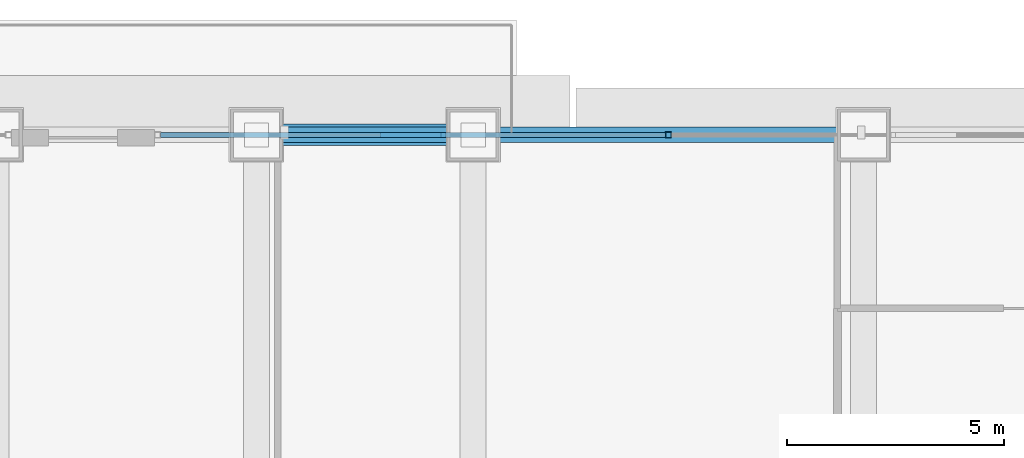
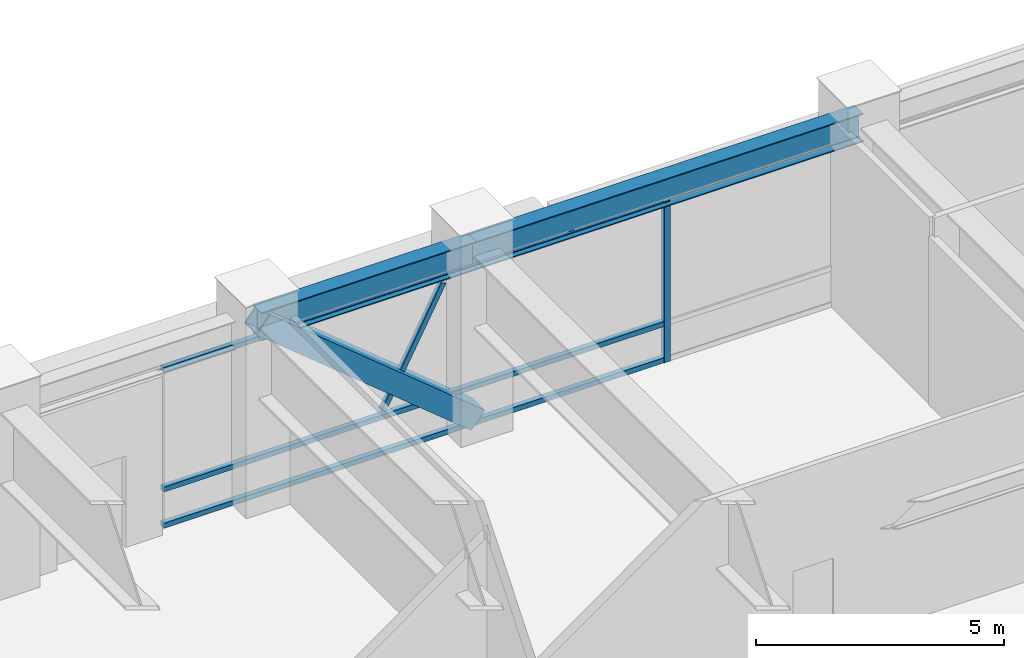
# One storey, part 21 of 34: 6 members, 2 beams, 1 element without a shape of its own.
"""IFC4 building model written with IfcOpenShell, lengths in metres."""

from ifc_helpers import new_model, si_unit, direction, frame, origin, origin_2d, place, context, subcontext, project, spatial, hollow_rectangle, i_section, extrude, source, transform, mapped, material, material_profile, profile_set, type_object, element, aggregate, save


model = new_model("IFC4")

# Units and contexts
model_context = context("Model", 3, precision=1e-05, world=origin(), true_north=direction((0.0, 1.0)))
body_context = subcontext(model_context, "Body", "Model", "MODEL_VIEW")
ifc_project = project(units=[si_unit("LENGTHUNIT", "METRE"), si_unit("AREAUNIT", "SQUARE_METRE"), si_unit("VOLUMEUNIT", "CUBIC_METRE"), si_unit("PLANEANGLEUNIT", "RADIAN"), si_unit("MASSUNIT", "GRAM", prefix="KILO")], contexts=[model_context])

# Site, building, storey
site_placement = place(None, origin())
site = spatial("IfcSite", under=ifc_project, at=site_placement, CompositionType="ELEMENT")
building_placement = place(site_placement, origin())
building = spatial("IfcBuilding", under=site, at=building_placement, Name="Khorayat Bourse Tower", CompositionType="ELEMENT")
storey_placement = place(building_placement, frame((0.0, 0.0, 144.699951171875)))
storey = spatial("IfcBuildingStorey", under=building, at=storey_placement, Name="L33", CompositionType="ELEMENT", Elevation=144.699951171875)

# Beams
ifc_material_1 = material(Name="Steel ASTM A992 Grade 50", Category="steel")
ifc_material_profile_1 = material_profile(ifc_material_1, i_section(OverallWidth=0.35498046875, OverallDepth=0.695068359375, WebThickness=0.015380859375, FlangeThickness=0.02490234375, FilletRadius=0.01806640625, at=origin_2d()), Name="W690X217")
ifc_profile_set_1 = profile_set([ifc_material_profile_1], Name="Steel ASTM A992 Grade 50")
beam_type = type_object("IfcBeamType", Name="BM-SPAN-690", PredefinedType="SPANDREL", material=ifc_profile_set_1)
shared_shape_1 = source(origin(), body_context, "Body", "SweptSolid", [
    extrude(i_section(OverallWidth=0.35498046875, OverallDepth=0.695068359375, WebThickness=0.015380859375, FlangeThickness=0.02490234375, FilletRadius=0.01806640625, at=origin_2d()), origin(), (0.0, 0.0, 1.0), 9.0),
])
beam_1_placement = place(storey_placement, frame((11.0, 32.0, 4.25244140625), z_axis=(1.0, 0.0, 0.0), x_axis=(0.0, 1.0, 0.0)))
element("IfcBeam", 1, at=beam_1_placement, inside=storey, type_object=beam_type, Name="L33 BM-SPAN-690 BM-L33-SPN-045", PredefinedType="SPANDREL", context=body_context, shape_type="MappedRepresentation", body=[
    mapped(shared_shape_1, transform((0.0, 0.0, 0.0), scale=1.0)),
])
shared_shape_2 = source(origin(), body_context, "Body", "SweptSolid", [
    extrude(i_section(OverallWidth=0.35498046875, OverallDepth=0.695068359375, WebThickness=0.015380859375, FlangeThickness=0.02490234375, FilletRadius=0.01806640625, at=origin_2d()), origin(), (0.0, 0.0, 1.0), 5.0),
])
beam_2_placement = place(storey_placement, frame((6.0, 32.0, 4.25244140625), z_axis=(1.0, 0.0, 0.0), x_axis=(0.0, 1.0, 0.0)))
element("IfcBeam", 2, at=beam_2_placement, inside=storey, type_object=beam_type, Name="L33 BM-SPAN-690 BM-L33-SPN-046", PredefinedType="SPANDREL", context=body_context, shape_type="MappedRepresentation", body=[
    mapped(shared_shape_2, transform((0.0, 0.0, 0.0), scale=1.0)),
])

# Member
ifc_material_2 = material(Name="Steel EN 10025-4 S460M", Category="steel")
ifc_material_profile_2 = material_profile(ifc_material_2, hollow_rectangle(XDim=0.5, YDim=0.5, WallThickness=0.028076171875, at=origin_2d()), Name="HSS 500x500x28")
ifc_profile_set_2 = profile_set([ifc_material_profile_2], Name="Steel EN 10025-4 S460M")
member_type_1 = type_object("IfcMemberType", Name="MBR-TUBE-500", PredefinedType="BRACE", material=ifc_profile_set_2)
shared_shape_3 = source(origin(), body_context, "Body", "SweptSolid", [
    extrude(hollow_rectangle(XDim=0.5, YDim=0.5, WallThickness=0.028076171875, at=origin_2d()), origin(), (0.0, 0.0, 1.0), 6.466064453125),
])
member_1_placement = place(storey_placement, frame((6.0, 32.0, 4.35009765625), z_axis=(0.773260385368, 0.0, -0.634088618744), x_axis=(0.0, 1.0, 0.0)))
element("IfcMember", 3, at=member_1_placement, inside=storey, type_object=member_type_1, Name="L33 Perimeter Tube Brace 04", PredefinedType="BRACE", context=body_context, shape_type="MappedRepresentation", body=[
    mapped(shared_shape_3, transform((0.0, 0.0, 0.0), scale=1.0)),
])

# Curtain wall, members
ifc_material_3 = material(Name="Aluminium EN AW-6063 T6", Category="aluminium")
curtain_wall_type = type_object("IfcCurtainWallType", Name="CW-SYS-05", PredefinedType="NOTDEFINED", material=ifc_material_3)
curtain_wall_placement = place(storey_placement, origin())
curtain_wall = element("IfcCurtainWall", 4, at=curtain_wall_placement, inside=storey, type_object=curtain_wall_type, Name="L33 Curtain Wall CW-L33-N2", PredefinedType="NOTDEFINED")
ifc_material_profile_3 = material_profile(ifc_material_3, hollow_rectangle(XDim=0.139892578125, YDim=0.139892578125, WallThickness=0.006103515625, at=origin_2d()), Name="ALU 140x140x6")
ifc_profile_set_3 = profile_set([ifc_material_profile_3], Name="Aluminium EN AW-6063 T6")
member_type_2 = type_object("IfcMemberType", Name="CWM-VERT-140", PredefinedType="MULLION", material=ifc_profile_set_3)
shared_shape_4 = source(origin(), body_context, "Body", "SweptSolid", [
    extrude(hollow_rectangle(XDim=0.139892578125, YDim=0.139892578125, WallThickness=0.006103515625, at=origin_2d()), origin(), (0.0, 0.0, 1.0), 3.949951171875),
])
member_2_placement = place(storey_placement, frame((15.5, 32.0, 0.0), z_axis=(0.0, 0.0, 1.0), x_axis=(0.0, 1.0, 0.0)))
member_2 = element("IfcMember", 5, at=member_2_placement, type_object=member_type_2, Name="CW-L33-N2 Vertical Mullion 2", PredefinedType="MULLION", context=body_context, shape_type="MappedRepresentation", body=[
    mapped(shared_shape_4, transform((0.0, 0.0, 0.0), scale=1.0)),
])
ifc_material_profile_4 = material_profile(ifc_material_3, hollow_rectangle(XDim=0.1201171875, YDim=0.1201171875, WallThickness=0.0048828125, at=origin_2d()), Name="ALU 120x120x5")
ifc_profile_set_4 = profile_set([ifc_material_profile_4], Name="Aluminium EN AW-6063 T6")
member_type_3 = type_object("IfcMemberType", Name="CWM-DIAG-120", PredefinedType="MULLION", material=ifc_profile_set_4)
shared_shape_5 = source(origin(), body_context, "Body", "SweptSolid", [
    extrude(hollow_rectangle(XDim=0.1201171875, YDim=0.1201171875, WallThickness=0.0048828125, at=origin_2d()), origin(), (0.0, 0.0, 1.0), 3.005859375),
])
member_3_placement = place(storey_placement, frame((8.909912109375, 32.0, 1.090087890625), z_axis=(0.465796644007, 0.0, 0.884891793629), x_axis=(0.0, 1.0, 0.0)))
member_3 = element("IfcMember", 6, at=member_3_placement, type_object=member_type_3, Name="CW-L33-N2 Faceted Diagonal Mullion 1", PredefinedType="MULLION", context=body_context, shape_type="MappedRepresentation", body=[
    mapped(shared_shape_5, transform((0.0, 0.0, 0.0), scale=1.0)),
])
ifc_material_profile_5 = material_profile(ifc_material_3, hollow_rectangle(XDim=0.1201171875, YDim=0.1201171875, WallThickness=0.0048828125, at=origin_2d()), Name="ALU 120x120x5")
ifc_profile_set_5 = profile_set([ifc_material_profile_5], Name="Aluminium EN AW-6063 T6")
member_type_4 = type_object("IfcMemberType", Name="CWT-HORZ-120", PredefinedType="USERDEFINED", material=ifc_profile_set_5)
shared_shape_6 = source(origin(), body_context, "Body", "SweptSolid", [
    extrude(hollow_rectangle(XDim=0.1201171875, YDim=0.1201171875, WallThickness=0.0048828125, at=origin_2d()), origin(), (0.0, 0.0, 1.0), 11.639892578125),
])
member_4_placement = place(storey_placement, frame((3.7900390625, 32.0, 0.06005859375), z_axis=(1.0, 0.0, 0.0), x_axis=(0.0, 1.0, 0.0)))
member_4 = element("IfcMember", 7, at=member_4_placement, type_object=member_type_4, Name="CW-L33-N2 Horizontal Transom 1-1", ObjectType="TRANSOM", PredefinedType="USERDEFINED", context=body_context, shape_type="MappedRepresentation", body=[
    mapped(shared_shape_6, transform((0.0, 0.0, 0.0), scale=1.0)),
])
member_5_placement = place(storey_placement, frame((3.7900390625, 32.0, 0.949951171875), z_axis=(1.0, 0.0, 0.0), x_axis=(0.0, 1.0, 0.0)))
member_5 = element("IfcMember", 8, at=member_5_placement, type_object=member_type_4, Name="CW-L33-N2 Horizontal Transom 1-2", ObjectType="TRANSOM", PredefinedType="USERDEFINED", context=body_context, shape_type="MappedRepresentation", body=[
    mapped(shared_shape_6, transform((0.0, 0.0, 0.0), scale=1.0)),
])
member_6_placement = place(storey_placement, frame((3.7900390625, 32.0, 3.89013671875), z_axis=(1.0, 0.0, 0.0), x_axis=(0.0, 1.0, 0.0)))
member_6 = element("IfcMember", 9, at=member_6_placement, type_object=member_type_4, Name="CW-L33-N2 Horizontal Transom 1-3", ObjectType="TRANSOM", PredefinedType="USERDEFINED", context=body_context, shape_type="MappedRepresentation", body=[
    mapped(shared_shape_6, transform((0.0, 0.0, 0.0), scale=1.0)),
])
aggregate(curtain_wall, [member_2, member_4, member_5, member_6, member_3])

save(model, "model.ifc")
